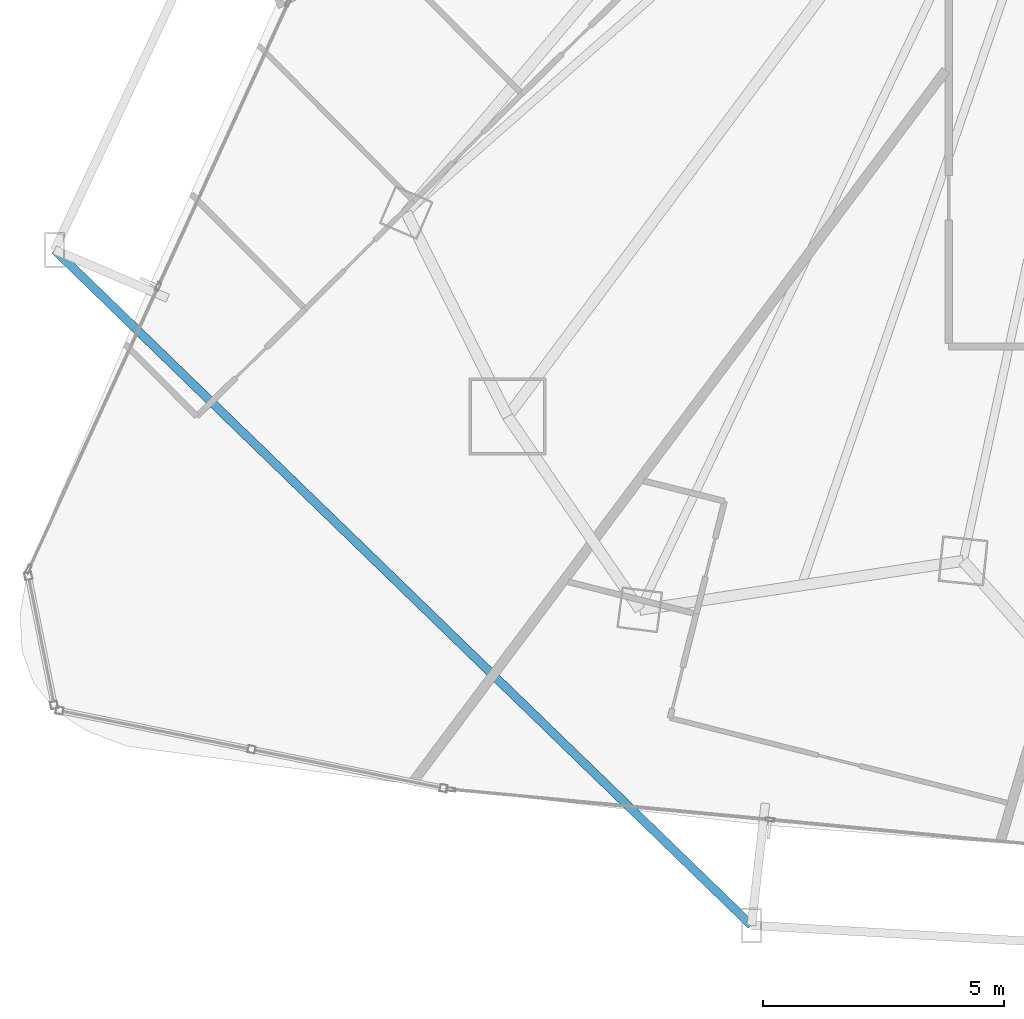
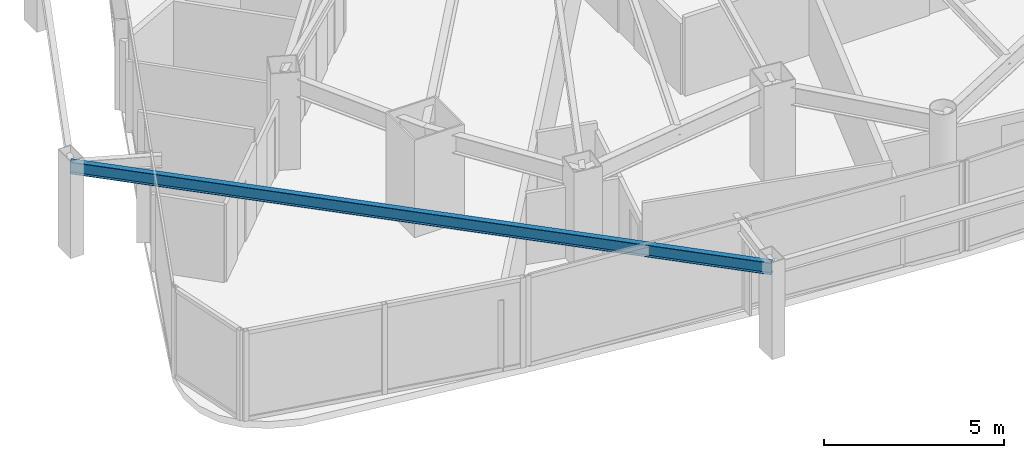
# One storey, part 3 of 35: 1 beam.
"""IFC4 building model written with IfcOpenShell, lengths in metres."""

from ifc_helpers import new_model, si_unit, direction, frame, origin, origin_2d, place, context, subcontext, project, spatial, i_section, extrude, material, material_profile, profile_set, type_object, element, save


model = new_model("IFC4")

# Units and contexts
model_context = context("Model", 3, precision=1e-05, world=origin(), true_north=direction((0.0, 1.0)))
body_context = subcontext(model_context, "Body", "Model", "MODEL_VIEW")
ifc_project = project(units=[si_unit("LENGTHUNIT", "METRE"), si_unit("AREAUNIT", "SQUARE_METRE"), si_unit("VOLUMEUNIT", "CUBIC_METRE"), si_unit("PLANEANGLEUNIT", "RADIAN"), si_unit("MASSUNIT", "GRAM", prefix="KILO")], contexts=[model_context])

# Site, building, storey
site_placement = place(None, origin())
site = spatial("IfcSite", under=ifc_project, at=site_placement, CompositionType="ELEMENT")
building_placement = place(site_placement, origin())
building = spatial("IfcBuilding", under=site, at=building_placement, Name="Orvanel Arch Residences", CompositionType="ELEMENT")
storey_placement = place(building_placement, frame((0.0, 0.0, 33.5)))
storey = spatial("IfcBuildingStorey", under=building, at=storey_placement, Name="L08", CompositionType="ELEMENT", Elevation=33.5)

# Beam
ifc_material = material(Name="Structural steel AS/NZS 3679.1 Grade 300 (300 MPa)", Category="steel")
ifc_material_profile = material_profile(ifc_material, i_section(OverallWidth=0.177978515625, OverallDepth=0.406005859375, WebThickness=0.0078125, FlangeThickness=0.0126953125, at=origin_2d()), Name="410UB59.7")
ifc_profile_set = profile_set([ifc_material_profile], Name="Structural steel AS/NZS 3679.1 Grade 300 (300 MPa)")
beam_type = type_object("IfcBeamType", Name="OB-410UB-EXT", PredefinedType="SPANDREL", material=ifc_profile_set)
beam_placement = place(storey_placement, frame((4.801025390625, 13.804931640625, 2.85693359375), z_axis=(0.718072802747, -0.695967994922, 0.0), x_axis=(0.695967994922, 0.718072802747, 0.0)))
element("IfcBeam", 1, at=beam_placement, inside=storey, type_object=beam_type, Name="L08 Outer Perimeter Floor Ring Beam 04", PredefinedType="SPANDREL", context=body_context, shape_type="SweptSolid", body=[
    extrude(i_section(OverallWidth=0.177978515625, OverallDepth=0.406005859375, WebThickness=0.0078125, FlangeThickness=0.0126953125, at=origin_2d()), origin(), (0.0, 0.0, 1.0), 20.134521484375),
])

save(model, "model.ifc")
